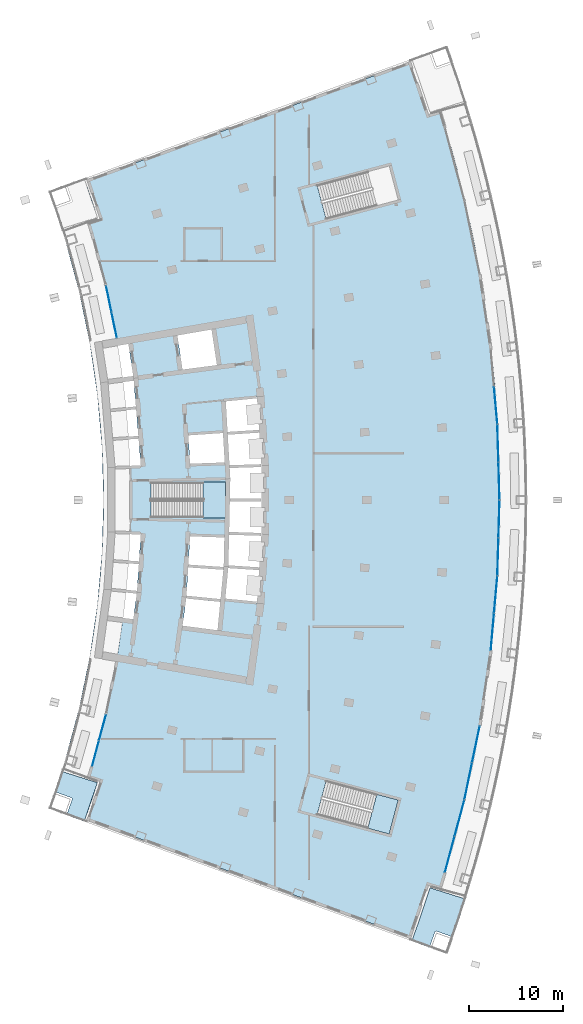
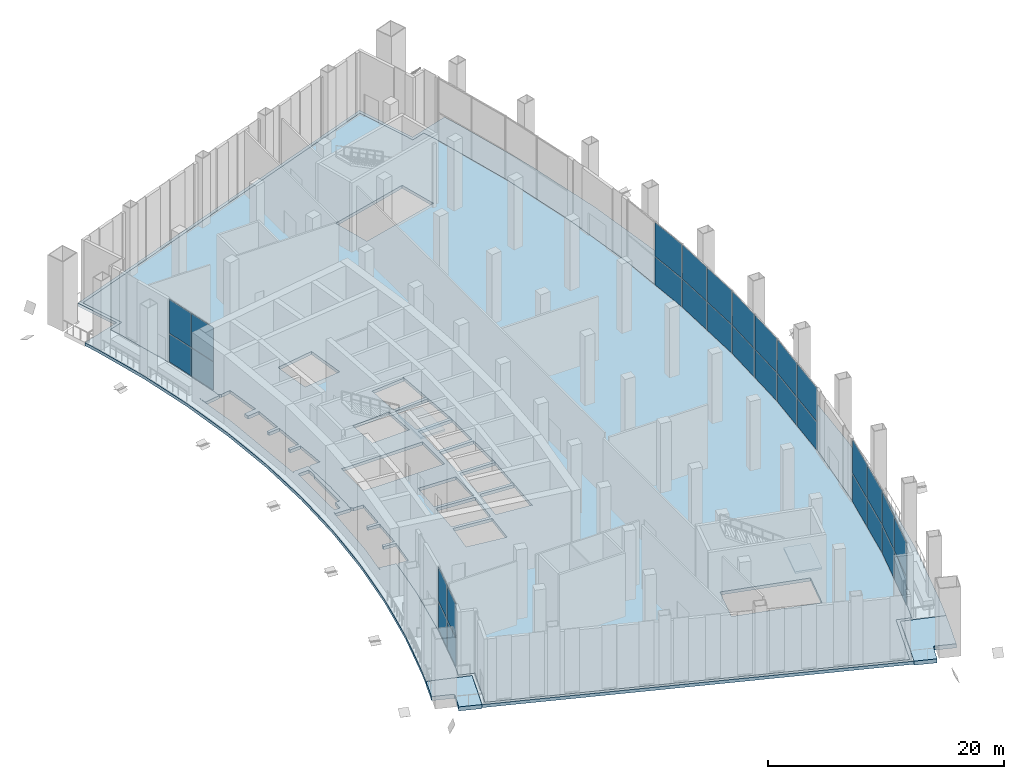
# One storey, part 7 of 18: 30 plates, 6 slabs, 10 elements without a shape of their own.
"""IFC4 building model written with IfcOpenShell, lengths in metres."""

from ifc_helpers import new_model, si_unit, direction, frame, origin, origin_2d, place, context, subcontext, project, spatial, polyline, rectangle, outline, extrude, material, layer, layer_set, type_object, element, aggregate, save


model = new_model("IFC4")

# Units and contexts
model_context = context("Model", 3, precision=1e-05, world=origin(), true_north=direction((0.0, 1.0)))
body_context = subcontext(model_context, "Body", "Model", "MODEL_VIEW")
ifc_project = project(units=[si_unit("LENGTHUNIT", "METRE"), si_unit("AREAUNIT", "SQUARE_METRE"), si_unit("VOLUMEUNIT", "CUBIC_METRE"), si_unit("PLANEANGLEUNIT", "RADIAN"), si_unit("MASSUNIT", "GRAM", prefix="KILO")], contexts=[model_context])

# Site, building, storey
site_placement = place(None, origin())
site = spatial("IfcSite", under=ifc_project, at=site_placement, CompositionType="ELEMENT")
building_placement = place(site_placement, origin())
building = spatial("IfcBuilding", under=site, at=building_placement, Name="Alderwake Tower", CompositionType="ELEMENT")
storey_placement = place(building_placement, frame((0.0, 0.0, 125.60009765625)))
storey = spatial("IfcBuildingStorey", under=building, at=storey_placement, Name="L31", CompositionType="ELEMENT", Elevation=125.60009765625)

# Slabs
ifc_material_1 = material(Name="Concrete C50/60", Category="concrete")
ifc_layer_1 = layer(ifc_material_1, 0.320068359375)
ifc_layer_set_1 = layer_set([ifc_layer_1], Name="Concrete C50/60 post-tensioned flat plate 320")
slab_type_1 = type_object("IfcSlabType", Name="Concrete C50/60 post-tensioned flat plate 320", PredefinedType="FLOOR", material=ifc_layer_set_1)
slab_1_placement = place(storey_placement, frame((0.0, 0.0, -0.320068359375)))
element("IfcSlab", 1, at=slab_1_placement, inside=storey, type_object=slab_type_1, Name="Floor slab L31", PredefinedType="FLOOR", context=body_context, shape_type="SweptSolid", body=[
    extrude(outline(polyline([(18.37158203125, 51.12841796875), (18.397705078125, 51.42724609375), (19.574951171875, 51.31103515625), (19.76611328125, 54.161376953125), (18.644287109375, 54.236572265625), (18.67041015625, 54.535400390625), (19.7861328125, 54.460693359375), (19.977294921875, 57.31103515625), (19.0234375, 57.3447265625), (18.80029296875, 57.582763671875), (18.89990234375, 61.0), (18.80029296875, 64.417236328125), (19.0234375, 64.6552734375), (19.974609375, 64.68896484375), (19.738525390625, 67.5361328125), (18.67041015625, 67.464599609375), (18.644287109375, 67.763427734375), (19.7138671875, 67.835205078125), (19.47802734375, 70.679443359375), (18.397705078125, 70.57275390625), (18.37158203125, 70.87158203125), (19.453125, 70.978515625), (19.2255859375, 73.725830078125), (18.071533203125, 73.574951171875), (17.998779296875, 74.069580078125), (19.16796875, 74.22265625), (18.656982421875, 77.6376953125), (18.90283203125, 77.674560546875), (18.900146484375, 77.690673828125), (17.729248046875, 77.48828125), (17.46923828125, 77.676513671875), (17.389404296875, 78.21923828125), (16.219970703125, 83.867919921875), (14.72314453125, 89.438720703125), (14.36279296875, 90.522705078125), (15.72998046875, 90.954833984375), (14.31591796875, 95.108642578125), (48.69677734375, 107.65869140625), (50.626708984375, 101.9892578125), (51.91748046875, 102.3974609375), (52.458984375, 100.76806640625), (54.55224609375, 92.97802734375), (56.187744140625, 85.0791015625), (57.35986328125, 77.098388671875), (58.064697265625, 69.06298828125), (58.300048828125, 61.0), (58.064697265625, 52.93701171875), (57.35986328125, 44.901611328125), (56.187744140625, 36.9208984375), (54.55224609375, 29.02197265625), (52.458984375, 21.23193359375), (51.91748046875, 19.6025390625), (50.626708984375, 20.0107421875), (48.69677734375, 14.34130859375), (14.31591796875, 26.891357421875), (15.72998046875, 31.045166015625), (14.36279296875, 31.477294921875), (14.72314453125, 32.561279296875), (16.219970703125, 38.132080078125), (17.389404296875, 43.78076171875), (18.0380859375, 48.197509765625), (18.2998046875, 48.395263671875), (19.18017578125, 48.280029296875), (19.545166015625, 51.012451171875), (18.37158203125, 51.12841796875)]), holes=[polyline([(24.82470703125, 50.49072265625), (24.8291015625, 50.534423828125), (24.825439453125, 50.534912109375), (24.43212890625, 47.59326171875), (28.160888671875, 47.10546875), (28.45361328125, 50.132080078125), (24.82470703125, 50.49072265625)]), polyline([(25.031005859375, 53.808349609375), (24.84521484375, 50.735595703125), (24.848876953125, 50.7353515625), (24.854248046875, 50.789306640625), (28.482666015625, 50.430908203125), (28.784912109375, 53.556640625), (25.031005859375, 53.808349609375)]), polyline([(29.0, 62.875), (21.050048828125, 62.875), (21.050048828125, 59.125), (29.0, 59.125), (29.0, 62.875)]), polyline([(28.09619140625, 75.390380859375), (27.523193359375, 79.181396484375), (23.877685546875, 78.551025390625), (24.427001953125, 74.915283203125), (24.368896484375, 74.90673828125), (24.36962890625, 74.90283203125), (28.09619140625, 75.390380859375)]), polyline([(47.436279296875, 28.996826171875), (39.754150390625, 31.043212890625), (38.7890625, 27.41943359375), (46.47119140625, 25.373291015625), (47.436279296875, 28.996826171875)]), polyline([(29.310791015625, 53.763916015625), (29.307373046875, 53.764404296875), (28.990234375, 50.48583984375), (32.347900390625, 50.1572265625), (32.333251953125, 50.008056640625), (32.363037109375, 50.005126953125), (32.6015625, 53.66748046875), (32.840087890625, 57.329833984375), (32.840087890625, 61.0), (32.840087890625, 64.670166015625), (32.6015625, 68.33251953125), (32.363037109375, 71.994873046875), (32.333251953125, 71.991943359375), (32.347900390625, 71.8427734375), (28.886962890625, 71.50390625), (28.88720703125, 71.50048828125), (29.04443359375, 71.509521484375), (29.234619140625, 68.263671875), (32.56201171875, 68.480224609375), (32.57177734375, 68.33056640625), (32.581298828125, 68.180908203125), (29.252197265625, 67.964111328125), (29.442626953125, 64.709716796875), (32.805419921875, 64.819091796875), (32.81005859375, 64.669189453125), (32.81494140625, 64.519287109375), (29.460205078125, 64.41015625), (29.526611328125, 63.277587890625), (29.4794921875, 61.14990234375), (32.81005859375, 61.14990234375), (32.81005859375, 61.0), (32.81005859375, 60.85009765625), (29.472900390625, 60.85009765625), (29.40087890625, 57.591796875), (32.81494140625, 57.480712890625), (32.81005859375, 57.330810546875), (32.805419921875, 57.180908203125), (29.39404296875, 57.2919921875), (29.320556640625, 53.967041015625), (29.32421875, 53.966796875), (29.328369140625, 54.031005859375), (32.581298828125, 53.819091796875), (32.57177734375, 53.66943359375), (32.56201171875, 53.519775390625), (29.308837890625, 53.731689453125), (29.310791015625, 53.763916015625)]), polyline([(28.8193359375, 53.912353515625), (28.887451171875, 56.99560546875), (25.2314453125, 57.125), (25.049072265625, 54.10791015625), (28.809326171875, 53.855712890625), (28.8076171875, 53.83154296875), (28.811279296875, 53.831298828125), (28.8193359375, 53.912353515625)]), polyline([(28.924560546875, 65.005615234375), (28.740966796875, 68.1396484375), (25.05126953125, 67.892333984375), (25.232177734375, 64.875), (28.924560546875, 65.005615234375)]), polyline([(47.436279296875, 93.003173828125), (46.47119140625, 96.626708984375), (38.7890625, 94.58056640625), (39.754150390625, 90.956787109375), (47.436279296875, 93.003173828125)])]), origin(), (0.0, 0.0, 1.0), 0.320068359375),
])
ifc_material_2 = material(Name="Concrete C50/60", Category="concrete")
ifc_layer_2 = layer(ifc_material_2, 0.320068359375)
ifc_layer_set_2 = layer_set([ifc_layer_2], Name="Concrete C50/60 terrace slab 320")
slab_type_2 = type_object("IfcSlabType", Name="Concrete C50/60 terrace slab 320", PredefinedType="FLOOR", material=ifc_layer_set_2)
slab_2_placement = place(storey_placement, frame((0.0, 0.0, -0.320068359375)))
element("IfcSlab", 2, at=slab_2_placement, inside=storey, type_object=slab_type_2, Name="Terrace slab L31", PredefinedType="FLOOR", context=body_context, shape_type="SweptSolid", body=[
    extrude(outline(polyline([(11.945556640625, 33.395263671875), (13.3984375, 38.802734375), (14.53369140625, 44.28564453125), (15.347412109375, 49.825439453125), (15.836669921875, 55.4033203125), (16.0, 61.0), (15.836669921875, 66.5966796875), (15.347412109375, 72.174560546875), (14.53369140625, 77.71435546875), (13.3984375, 83.197265625), (11.945556640625, 88.604736328125), (11.533203125, 89.942626953125), (15.34716796875, 91.1484375), (13.937255859375, 95.289794921875), (48.8818359375, 108.045654296875), (50.816162109375, 102.36376953125), (54.630126953125, 103.569580078125), (55.236572265625, 101.601806640625), (57.37353515625, 93.6484375), (59.04345703125, 85.583984375), (60.239990234375, 77.43603515625), (60.959716796875, 69.23193359375), (61.199951171875, 61.0), (60.959716796875, 52.76806640625), (60.239990234375, 44.56396484375), (59.04345703125, 36.416015625), (57.37353515625, 28.3515625), (55.236572265625, 20.398193359375), (54.630126953125, 18.430419921875), (50.816162109375, 19.63623046875), (48.8818359375, 13.954345703125), (13.937255859375, 26.710205078125), (15.34716796875, 30.8515625), (11.533203125, 32.057373046875), (11.945556640625, 33.395263671875)]), holes=[polyline([(50.626708984375, 20.0107421875), (51.91748046875, 19.6025390625), (52.458984375, 21.23193359375), (54.55224609375, 29.02197265625), (56.187744140625, 36.9208984375), (57.35986328125, 44.901611328125), (58.064697265625, 52.93701171875), (58.300048828125, 61.0), (58.064697265625, 69.06298828125), (57.35986328125, 77.098388671875), (56.187744140625, 85.0791015625), (54.55224609375, 92.97802734375), (52.458984375, 100.76806640625), (51.91748046875, 102.3974609375), (50.626708984375, 101.9892578125), (48.69677734375, 107.65869140625), (14.31591796875, 95.108642578125), (15.72998046875, 90.954833984375), (14.36279296875, 90.522705078125), (14.72314453125, 89.438720703125), (16.219970703125, 83.867919921875), (17.389404296875, 78.21923828125), (17.502685546875, 77.448974609375), (15.96826171875, 77.183837890625), (15.836669921875, 77.94482421875), (15.58544921875, 77.900390625), (15.586181640625, 77.896484375), (15.8154296875, 77.931884765625), (16.478515625, 73.61865234375), (16.47900390625, 73.61376953125), (16.732421875, 70.558837890625), (16.98583984375, 67.501953125), (17.239501953125, 64.4443359375), (17.239501953125, 64.44189453125), (17.269287109375, 64.443115234375), (17.263916015625, 64.593017578125), (18.793701171875, 64.647216796875), (18.89990234375, 61.0), (18.793701171875, 57.352783203125), (17.263916015625, 57.406982421875), (17.269287109375, 57.556884765625), (17.2392578125, 57.55810546875), (17.033935546875, 54.494873046875), (16.82861328125, 51.431640625), (16.82861328125, 51.431640625), (16.41015625, 48.39013671875), (16.43994140625, 48.38623046875), (16.472412109375, 48.63427734375), (18.071533203125, 48.425048828125), (17.389404296875, 43.78076171875), (16.219970703125, 38.132080078125), (14.72314453125, 32.561279296875), (14.36279296875, 31.477294921875), (15.72998046875, 31.045166015625), (14.31591796875, 26.891357421875), (48.69677734375, 14.34130859375), (50.626708984375, 20.0107421875)]), polyline([(17.489501953125, 64.050537109375), (17.4892578125, 57.949462890625), (18.065673828125, 57.928955078125), (18.090576171875, 58.84326171875), (18.544189453125, 58.8310546875), (18.529296875, 58.8681640625), (18.5234375, 58.89208984375), (18.5185546875, 58.94091796875), (18.5185546875, 63.060302734375), (18.5234375, 63.109130859375), (18.53759765625, 63.156005859375), (18.560791015625, 63.19921875), (18.588623046875, 63.233642578125), (18.565185546875, 64.088623046875), (17.489501953125, 64.050537109375)])]), origin(), (0.0, 0.0, 1.0), 0.320068359375),
])

# Stair, slab
ifc_material_3 = material(Name="Concrete C40/50", Category="concrete")
stair_type = type_object("IfcStairType", Name="Core exit stair", PredefinedType="HALF_TURN_STAIR", material=ifc_material_3)
stair_1_placement = place(storey_placement, origin())
stair_1 = element("IfcStair", 3, at=stair_1_placement, inside=storey, type_object=stair_type, Name="L31 Exit Stair B", PredefinedType="HALF_TURN_STAIR")
ifc_material_4 = material(Name="Concrete C40/50", Category="concrete")
ifc_layer_3 = layer(ifc_material_4, 0.199951171875)
ifc_layer_set_3 = layer_set([ifc_layer_3], Name="Core stair landing 200")
slab_type_3 = type_object("IfcSlabType", Name="Core stair landing 200", PredefinedType="LANDING", material=ifc_layer_set_3)
slab_3_placement = place(storey_placement, frame((0.0, 0.0, 3.39990234375)))
slab_3 = element("IfcSlab", 4, at=slab_3_placement, type_object=slab_type_3, Name="ST-B landing 1", PredefinedType="LANDING", context=body_context, shape_type="SweptSolid", body=[
    extrude(outline(polyline([(26.6298828125, 59.074951171875), (29.0, 59.074951171875), (29.0, 62.925048828125), (26.6298828125, 62.925048828125), (26.6298828125, 59.074951171875)])), origin(), (0.0, 0.0, 1.0), 0.199951171875),
])
aggregate(stair_1, [slab_3])

stair_2_placement = place(storey_placement, origin())
stair_2 = element("IfcStair", 5, at=stair_2_placement, inside=storey, type_object=stair_type, Name="L31 Exit Stair C", PredefinedType="HALF_TURN_STAIR")
slab_4_placement = place(storey_placement, frame((0.0, 0.0, 3.39990234375)))
slab_4 = element("IfcSlab", 6, at=slab_4_placement, type_object=slab_type_3, Name="ST-C landing 1", PredefinedType="LANDING", context=body_context, shape_type="SweptSolid", body=[
    extrude(outline(polyline([(44.180908203125, 25.983154296875), (46.47119140625, 25.373291015625), (47.436279296875, 28.996826171875), (45.146240234375, 29.60693359375), (44.180908203125, 25.983154296875)])), origin(), (0.0, 0.0, 1.0), 0.199951171875),
])
aggregate(stair_2, [slab_4])

# Curtain wall, plates
ifc_material_5 = material(Name="Bronze tinted glass in aluminium frame", Category="aluminium")
ifc_layer_4 = layer(ifc_material_5, 0.199951171875)
ifc_layer_set_4 = layer_set([ifc_layer_4], Name="Curtain wall CW3 sky garden glazing")
curtain_wall_type = type_object("IfcCurtainWallType", Name="Curtain wall CW3 sky garden glazing", PredefinedType="NOTDEFINED", material=ifc_layer_set_4)
curtain_wall_1_placement = place(storey_placement, origin())
curtain_wall_1 = element("IfcCurtainWall", 7, at=curtain_wall_1_placement, inside=storey, type_object=curtain_wall_type, Name="Curtain wall 1", PredefinedType="NOTDEFINED")
ifc_material_6 = material(Name="Bronze tinted glass in aluminium frame", Category="aluminium")
ifc_layer_5 = layer(ifc_material_6, 0.028076171875)
ifc_layer_set_5 = layer_set([ifc_layer_5], Name="Glass panel GPC 28")
plate_type = type_object("IfcPlateType", Name="Glass panel GPC 28", PredefinedType="CURTAIN_PANEL", material=ifc_layer_set_5)
plate_1_placement = place(storey_placement, frame((16.563720703125, 82.45361328125, 0.06005859375), z_axis=(0.0, 0.0, 1.0), x_axis=(0.202750888158, -0.979230349484, 0.0)))
plate_1 = element("IfcPlate", 8, at=plate_1_placement, type_object=plate_type, Name="CW.01 panel 1.1", PredefinedType="CURTAIN_PANEL", context=body_context, shape_type="SweptSolid", body=[
    extrude(rectangle(XDim=2.7890625, YDim=0.028076171875, at=origin_2d()), origin(), (0.0, 0.0, 1.0), 2.909912109375),
])
plate_2_placement = place(storey_placement, frame((16.563720703125, 82.45361328125, 3.02978515625), z_axis=(0.0, 0.0, 1.0), x_axis=(0.202750888158, -0.979230349484, 0.0)))
plate_2 = element("IfcPlate", 9, at=plate_2_placement, type_object=plate_type, Name="CW.01 panel 1.2", PredefinedType="CURTAIN_PANEL", context=body_context, shape_type="SweptSolid", body=[
    extrude(rectangle(XDim=2.7890625, YDim=0.028076171875, at=origin_2d()), origin(), (0.0, 0.0, 1.0), 3.510009765625),
])
plate_3_placement = place(storey_placement, frame((17.1416015625, 79.66357421875, 0.06005859375), z_axis=(0.0, 0.0, 1.0), x_axis=(0.202750888158, -0.979230349484, 0.0)))
plate_3 = element("IfcPlate", 10, at=plate_3_placement, type_object=plate_type, Name="CW.01 panel 2.1", PredefinedType="CURTAIN_PANEL", context=body_context, shape_type="SweptSolid", body=[
    extrude(rectangle(XDim=2.7890625, YDim=0.028076171875, at=origin_2d()), origin(), (0.0, 0.0, 1.0), 2.909912109375),
])
plate_4_placement = place(storey_placement, frame((17.1416015625, 79.66357421875, 3.02978515625), z_axis=(0.0, 0.0, 1.0), x_axis=(0.202750888158, -0.979230349484, 0.0)))
plate_4 = element("IfcPlate", 11, at=plate_4_placement, type_object=plate_type, Name="CW.01 panel 2.2", PredefinedType="CURTAIN_PANEL", context=body_context, shape_type="SweptSolid", body=[
    extrude(rectangle(XDim=2.7890625, YDim=0.028076171875, at=origin_2d()), origin(), (0.0, 0.0, 1.0), 3.510009765625),
])
aggregate(curtain_wall_1, [plate_1, plate_2, plate_3, plate_4])

curtain_wall_2_placement = place(storey_placement, origin())
curtain_wall_2 = element("IfcCurtainWall", 12, at=curtain_wall_2_placement, inside=storey, type_object=curtain_wall_type, Name="Curtain wall 2", PredefinedType="NOTDEFINED")
plate_5_placement = place(storey_placement, frame((15.89013671875, 36.7119140625, 0.06005859375), z_axis=(0.0, 0.0, 1.0), x_axis=(-0.259483539814, -0.965747530447, 0.0)))
plate_5 = element("IfcPlate", 13, at=plate_5_placement, type_object=plate_type, Name="CW.02 panel 1.1", PredefinedType="CURTAIN_PANEL", context=body_context, shape_type="SweptSolid", body=[
    extrude(rectangle(XDim=2.794189453125, YDim=0.028076171875, at=origin_2d()), origin(), (0.0, 0.0, 1.0), 2.909912109375),
])
plate_6_placement = place(storey_placement, frame((15.89013671875, 36.7119140625, 3.02978515625), z_axis=(0.0, 0.0, 1.0), x_axis=(-0.259483539814, -0.965747530447, 0.0)))
plate_6 = element("IfcPlate", 14, at=plate_6_placement, type_object=plate_type, Name="CW.02 panel 1.2", PredefinedType="CURTAIN_PANEL", context=body_context, shape_type="SweptSolid", body=[
    extrude(rectangle(XDim=2.794189453125, YDim=0.028076171875, at=origin_2d()), origin(), (0.0, 0.0, 1.0), 3.510009765625),
])
plate_7_placement = place(storey_placement, frame((15.1494140625, 33.95556640625, 0.06005859375), z_axis=(0.0, 0.0, 1.0), x_axis=(-0.259483539814, -0.965747530447, 0.0)))
plate_7 = element("IfcPlate", 15, at=plate_7_placement, type_object=plate_type, Name="CW.02 panel 2.1", PredefinedType="CURTAIN_PANEL", context=body_context, shape_type="SweptSolid", body=[
    extrude(rectangle(XDim=2.794189453125, YDim=0.028076171875, at=origin_2d()), origin(), (0.0, 0.0, 1.0), 2.909912109375),
])
plate_8_placement = place(storey_placement, frame((15.1494140625, 33.95556640625, 3.02978515625), z_axis=(0.0, 0.0, 1.0), x_axis=(-0.259483539814, -0.965747530447, 0.0)))
plate_8 = element("IfcPlate", 16, at=plate_8_placement, type_object=plate_type, Name="CW.02 panel 2.2", PredefinedType="CURTAIN_PANEL", context=body_context, shape_type="SweptSolid", body=[
    extrude(rectangle(XDim=2.794189453125, YDim=0.028076171875, at=origin_2d()), origin(), (0.0, 0.0, 1.0), 3.510009765625),
])
aggregate(curtain_wall_2, [plate_5, plate_6, plate_7, plate_8])

curtain_wall_3_placement = place(storey_placement, origin())
curtain_wall_3 = element("IfcCurtainWall", 17, at=curtain_wall_3_placement, inside=storey, type_object=curtain_wall_type, Name="Curtain wall 3", PredefinedType="NOTDEFINED")
plate_9_placement = place(storey_placement, frame((52.93798828125, 23.20703125, 0.06005859375), z_axis=(0.0, 0.0, 1.0), x_axis=(0.25949861992, 0.965743478497, 0.0)))
plate_9 = element("IfcPlate", 18, at=plate_9_placement, type_object=plate_type, Name="CW.03 panel 1.1", PredefinedType="CURTAIN_PANEL", context=body_context, shape_type="SweptSolid", body=[
    extrude(rectangle(XDim=3.943115234375, YDim=0.028076171875, at=origin_2d()), origin(), (0.0, 0.0, 1.0), 2.909912109375),
])
plate_10_placement = place(storey_placement, frame((52.93798828125, 23.20703125, 3.02978515625), z_axis=(0.0, 0.0, 1.0), x_axis=(0.25949861992, 0.965743478497, 0.0)))
plate_10 = element("IfcPlate", 19, at=plate_10_placement, type_object=plate_type, Name="CW.03 panel 1.2", PredefinedType="CURTAIN_PANEL", context=body_context, shape_type="SweptSolid", body=[
    extrude(rectangle(XDim=3.943115234375, YDim=0.028076171875, at=origin_2d()), origin(), (0.0, 0.0, 1.0), 3.510009765625),
])
plate_11_placement = place(storey_placement, frame((53.976806640625, 27.072998046875, 0.06005859375), z_axis=(0.0, 0.0, 1.0), x_axis=(0.25949861992, 0.965743478497, 0.0)))
plate_11 = element("IfcPlate", 20, at=plate_11_placement, type_object=plate_type, Name="CW.03 panel 2.1", PredefinedType="CURTAIN_PANEL", context=body_context, shape_type="SweptSolid", body=[
    extrude(rectangle(XDim=3.943115234375, YDim=0.028076171875, at=origin_2d()), origin(), (0.0, 0.0, 1.0), 2.909912109375),
])
plate_12_placement = place(storey_placement, frame((53.976806640625, 27.072998046875, 3.02978515625), z_axis=(0.0, 0.0, 1.0), x_axis=(0.25949861992, 0.965743478497, 0.0)))
plate_12 = element("IfcPlate", 21, at=plate_12_placement, type_object=plate_type, Name="CW.03 panel 2.2", PredefinedType="CURTAIN_PANEL", context=body_context, shape_type="SweptSolid", body=[
    extrude(rectangle(XDim=3.943115234375, YDim=0.028076171875, at=origin_2d()), origin(), (0.0, 0.0, 1.0), 3.510009765625),
])
aggregate(curtain_wall_3, [plate_9, plate_10, plate_11, plate_12])

curtain_wall_4_placement = place(storey_placement, origin())
curtain_wall_4 = element("IfcCurtainWall", 22, at=curtain_wall_4_placement, inside=storey, type_object=curtain_wall_type, Name="Curtain wall 4", PredefinedType="NOTDEFINED")
plate_13_placement = place(storey_placement, frame((54.9150390625, 31.021484375, 0.06005859375), z_axis=(0.0, 0.0, 1.0), x_axis=(0.202756050105, 0.979229280682, 0.0)))
plate_13 = element("IfcPlate", 23, at=plate_13_placement, type_object=plate_type, Name="CW.04 panel 1.1", PredefinedType="CURTAIN_PANEL", context=body_context, shape_type="SweptSolid", body=[
    extrude(rectangle(XDim=3.943115234375, YDim=0.028076171875, at=origin_2d()), origin(), (0.0, 0.0, 1.0), 2.909912109375),
])
plate_14_placement = place(storey_placement, frame((54.9150390625, 31.021484375, 3.02978515625), z_axis=(0.0, 0.0, 1.0), x_axis=(0.202756050105, 0.979229280682, 0.0)))
plate_14 = element("IfcPlate", 24, at=plate_14_placement, type_object=plate_type, Name="CW.04 panel 1.2", PredefinedType="CURTAIN_PANEL", context=body_context, shape_type="SweptSolid", body=[
    extrude(rectangle(XDim=3.943115234375, YDim=0.028076171875, at=origin_2d()), origin(), (0.0, 0.0, 1.0), 3.510009765625),
])
plate_15_placement = place(storey_placement, frame((55.726806640625, 34.94140625, 0.06005859375), z_axis=(0.0, 0.0, 1.0), x_axis=(0.202756050105, 0.979229280682, 0.0)))
plate_15 = element("IfcPlate", 25, at=plate_15_placement, type_object=plate_type, Name="CW.04 panel 2.1", PredefinedType="CURTAIN_PANEL", context=body_context, shape_type="SweptSolid", body=[
    extrude(rectangle(XDim=3.943115234375, YDim=0.028076171875, at=origin_2d()), origin(), (0.0, 0.0, 1.0), 2.909912109375),
])
plate_16_placement = place(storey_placement, frame((55.726806640625, 34.94140625, 3.02978515625), z_axis=(0.0, 0.0, 1.0), x_axis=(0.202756050105, 0.979229280682, 0.0)))
plate_16 = element("IfcPlate", 26, at=plate_16_placement, type_object=plate_type, Name="CW.04 panel 2.2", PredefinedType="CURTAIN_PANEL", context=body_context, shape_type="SweptSolid", body=[
    extrude(rectangle(XDim=3.943115234375, YDim=0.028076171875, at=origin_2d()), origin(), (0.0, 0.0, 1.0), 3.510009765625),
])
aggregate(curtain_wall_4, [plate_13, plate_14, plate_15, plate_16])

curtain_wall_5_placement = place(storey_placement, origin())
curtain_wall_5 = element("IfcCurtainWall", 27, at=curtain_wall_5_placement, inside=storey, type_object=curtain_wall_type, Name="Curtain wall 5", PredefinedType="NOTDEFINED")
plate_17_placement = place(storey_placement, frame((57.487548828125, 46.929931640625, 0.06005859375), z_axis=(0.0, 0.0, 1.0), x_axis=(0.087387632716, 0.996174383152, 0.0)))
plate_17 = element("IfcPlate", 28, at=plate_17_placement, type_object=plate_type, Name="CW.05 panel 1.1", PredefinedType="CURTAIN_PANEL", context=body_context, shape_type="SweptSolid", body=[
    extrude(rectangle(XDim=3.943115234375, YDim=0.028076171875, at=origin_2d()), origin(), (0.0, 0.0, 1.0), 2.909912109375),
])
plate_18_placement = place(storey_placement, frame((57.487548828125, 46.929931640625, 3.02978515625), z_axis=(0.0, 0.0, 1.0), x_axis=(0.087387632716, 0.996174383152, 0.0)))
plate_18 = element("IfcPlate", 29, at=plate_18_placement, type_object=plate_type, Name="CW.05 panel 1.2", PredefinedType="CURTAIN_PANEL", context=body_context, shape_type="SweptSolid", body=[
    extrude(rectangle(XDim=3.943115234375, YDim=0.028076171875, at=origin_2d()), origin(), (0.0, 0.0, 1.0), 3.510009765625),
])
plate_19_placement = place(storey_placement, frame((57.83740234375, 50.917724609375, 0.06005859375), z_axis=(0.0, 0.0, 1.0), x_axis=(0.087387632716, 0.996174383152, 0.0)))
plate_19 = element("IfcPlate", 30, at=plate_19_placement, type_object=plate_type, Name="CW.05 panel 2.1", PredefinedType="CURTAIN_PANEL", context=body_context, shape_type="SweptSolid", body=[
    extrude(rectangle(XDim=3.943115234375, YDim=0.028076171875, at=origin_2d()), origin(), (0.0, 0.0, 1.0), 2.909912109375),
])
plate_20_placement = place(storey_placement, frame((57.83740234375, 50.917724609375, 3.02978515625), z_axis=(0.0, 0.0, 1.0), x_axis=(0.087387632716, 0.996174383152, 0.0)))
plate_20 = element("IfcPlate", 31, at=plate_20_placement, type_object=plate_type, Name="CW.05 panel 2.2", PredefinedType="CURTAIN_PANEL", context=body_context, shape_type="SweptSolid", body=[
    extrude(rectangle(XDim=3.943115234375, YDim=0.028076171875, at=origin_2d()), origin(), (0.0, 0.0, 1.0), 3.510009765625),
])
aggregate(curtain_wall_5, [plate_17, plate_18, plate_19, plate_20])

curtain_wall_6_placement = place(storey_placement, origin())
curtain_wall_6 = element("IfcCurtainWall", 32, at=curtain_wall_6_placement, inside=storey, type_object=curtain_wall_type, Name="Curtain wall 6", PredefinedType="NOTDEFINED")
plate_21_placement = place(storey_placement, frame((58.073974609375, 54.96923828125, 0.06005859375), z_axis=(0.0, 0.0, 1.0), x_axis=(0.029158242674, 0.999574808048, 0.0)))
plate_21 = element("IfcPlate", 33, at=plate_21_placement, type_object=plate_type, Name="CW.06 panel 1.1", PredefinedType="CURTAIN_PANEL", context=body_context, shape_type="SweptSolid", body=[
    extrude(rectangle(XDim=3.943115234375, YDim=0.028076171875, at=origin_2d()), origin(), (0.0, 0.0, 1.0), 2.909912109375),
])
plate_22_placement = place(storey_placement, frame((58.073974609375, 54.96923828125, 3.02978515625), z_axis=(0.0, 0.0, 1.0), x_axis=(0.029158242674, 0.999574808048, 0.0)))
plate_22 = element("IfcPlate", 34, at=plate_22_placement, type_object=plate_type, Name="CW.06 panel 1.2", PredefinedType="CURTAIN_PANEL", context=body_context, shape_type="SweptSolid", body=[
    extrude(rectangle(XDim=3.943115234375, YDim=0.028076171875, at=origin_2d()), origin(), (0.0, 0.0, 1.0), 3.510009765625),
])
plate_23_placement = place(storey_placement, frame((58.190673828125, 58.970703125, 0.06005859375), z_axis=(0.0, 0.0, 1.0), x_axis=(0.029158242674, 0.999574808048, 0.0)))
plate_23 = element("IfcPlate", 35, at=plate_23_placement, type_object=plate_type, Name="CW.06 panel 2.1", PredefinedType="CURTAIN_PANEL", context=body_context, shape_type="SweptSolid", body=[
    extrude(rectangle(XDim=3.943115234375, YDim=0.028076171875, at=origin_2d()), origin(), (0.0, 0.0, 1.0), 2.909912109375),
])
plate_24_placement = place(storey_placement, frame((58.190673828125, 58.970703125, 3.02978515625), z_axis=(0.0, 0.0, 1.0), x_axis=(0.029158242674, 0.999574808048, 0.0)))
plate_24 = element("IfcPlate", 36, at=plate_24_placement, type_object=plate_type, Name="CW.06 panel 2.2", PredefinedType="CURTAIN_PANEL", context=body_context, shape_type="SweptSolid", body=[
    extrude(rectangle(XDim=3.943115234375, YDim=0.028076171875, at=origin_2d()), origin(), (0.0, 0.0, 1.0), 3.510009765625),
])
aggregate(curtain_wall_6, [plate_21, plate_22, plate_23, plate_24])

curtain_wall_7_placement = place(storey_placement, origin())
curtain_wall_7 = element("IfcCurtainWall", 37, at=curtain_wall_7_placement, inside=storey, type_object=curtain_wall_type, Name="Curtain wall 7", PredefinedType="NOTDEFINED")
plate_25_placement = place(storey_placement, frame((58.190673828125, 63.029296875, 0.06005859375), z_axis=(0.0, 0.0, 1.0), x_axis=(-0.029158242674, 0.999574808048, 0.0)))
plate_25 = element("IfcPlate", 38, at=plate_25_placement, type_object=plate_type, Name="CW.07 panel 1.1", PredefinedType="CURTAIN_PANEL", context=body_context, shape_type="SweptSolid", body=[
    extrude(rectangle(XDim=3.943115234375, YDim=0.028076171875, at=origin_2d()), origin(), (0.0, 0.0, 1.0), 2.909912109375),
])
plate_26_placement = place(storey_placement, frame((58.190673828125, 63.029296875, 3.02978515625), z_axis=(0.0, 0.0, 1.0), x_axis=(-0.029158242674, 0.999574808048, 0.0)))
plate_26 = element("IfcPlate", 39, at=plate_26_placement, type_object=plate_type, Name="CW.07 panel 1.2", PredefinedType="CURTAIN_PANEL", context=body_context, shape_type="SweptSolid", body=[
    extrude(rectangle(XDim=3.943115234375, YDim=0.028076171875, at=origin_2d()), origin(), (0.0, 0.0, 1.0), 3.510009765625),
])
plate_27_placement = place(storey_placement, frame((58.073974609375, 67.03076171875, 0.06005859375), z_axis=(0.0, 0.0, 1.0), x_axis=(-0.029158242674, 0.999574808048, 0.0)))
plate_27 = element("IfcPlate", 40, at=plate_27_placement, type_object=plate_type, Name="CW.07 panel 2.1", PredefinedType="CURTAIN_PANEL", context=body_context, shape_type="SweptSolid", body=[
    extrude(rectangle(XDim=3.943115234375, YDim=0.028076171875, at=origin_2d()), origin(), (0.0, 0.0, 1.0), 2.909912109375),
])
plate_28_placement = place(storey_placement, frame((58.073974609375, 67.03076171875, 3.02978515625), z_axis=(0.0, 0.0, 1.0), x_axis=(-0.029158242674, 0.999574808048, 0.0)))
plate_28 = element("IfcPlate", 41, at=plate_28_placement, type_object=plate_type, Name="CW.07 panel 2.2", PredefinedType="CURTAIN_PANEL", context=body_context, shape_type="SweptSolid", body=[
    extrude(rectangle(XDim=3.943115234375, YDim=0.028076171875, at=origin_2d()), origin(), (0.0, 0.0, 1.0), 3.510009765625),
])
aggregate(curtain_wall_7, [plate_25, plate_26, plate_27, plate_28])

curtain_wall_8_placement = place(storey_placement, origin())
curtain_wall_8 = element("IfcCurtainWall", 42, at=curtain_wall_8_placement, inside=storey, type_object=curtain_wall_type, Name="Curtain wall 8", PredefinedType="NOTDEFINED")
plate_29_placement = place(storey_placement, frame((57.83740234375, 71.082275390625, 0.06005859375), z_axis=(0.0, 0.0, 1.0), x_axis=(-0.087387632716, 0.996174383152, 0.0)))
plate_29 = element("IfcPlate", 43, at=plate_29_placement, type_object=plate_type, Name="CW.08 panel 1.1", PredefinedType="CURTAIN_PANEL", context=body_context, shape_type="SweptSolid", body=[
    extrude(rectangle(XDim=3.943115234375, YDim=0.028076171875, at=origin_2d()), origin(), (0.0, 0.0, 1.0), 2.909912109375),
])
plate_30_placement = place(storey_placement, frame((57.83740234375, 71.082275390625, 3.02978515625), z_axis=(0.0, 0.0, 1.0), x_axis=(-0.087387632716, 0.996174383152, 0.0)))
plate_30 = element("IfcPlate", 44, at=plate_30_placement, type_object=plate_type, Name="CW.08 panel 1.2", PredefinedType="CURTAIN_PANEL", context=body_context, shape_type="SweptSolid", body=[
    extrude(rectangle(XDim=3.943115234375, YDim=0.028076171875, at=origin_2d()), origin(), (0.0, 0.0, 1.0), 3.510009765625),
])
aggregate(curtain_wall_8, [plate_29, plate_30])

# Slabs
ifc_material_7 = material(Name="Concrete C50/60", Category="concrete")
ifc_layer_6 = layer(ifc_material_7, 0.419921875)
ifc_layer_set_6 = layer_set([ifc_layer_6], Name="Terrace slab 420")
slab_type_4 = type_object("IfcSlabType", Name="Terrace slab 420", PredefinedType="FLOOR", material=ifc_layer_set_6)
slab_5_placement = place(storey_placement, frame((0.0, 0.0, -0.420166015625)))
element("IfcSlab", 45, at=slab_5_placement, inside=storey, type_object=slab_type_4, Name="Corner terrace FS", PredefinedType="FLOOR", context=body_context, shape_type="SweptSolid", body=[
    extrude(outline(polyline([(53.331298828125, 14.522216796875), (53.279296875, 14.3759765625), (51.54150390625, 14.99755859375), (51.527587890625, 15.001953125), (51.51318359375, 15.004638671875), (51.498291015625, 15.006103515625), (51.483642578125, 15.006103515625), (51.468994140625, 15.004638671875), (51.45458984375, 15.001953125), (51.4404296875, 14.99755859375), (51.427001953125, 14.991943359375), (51.4140625, 14.985107421875), (51.401611328125, 14.976806640625), (51.390380859375, 14.967529296875), (51.3798828125, 14.95703125), (51.37060546875, 14.94580078125), (51.3623046875, 14.93359375), (51.35546875, 14.92041015625), (51.349853515625, 14.906982421875), (50.777099609375, 13.306396484375), (50.77294921875, 13.292236328125), (50.77001953125, 13.277587890625), (50.768798828125, 13.265625), (48.8818359375, 13.954345703125), (49.55419921875, 15.8388671875), (50.19921875, 17.73291015625), (50.816162109375, 19.63623046875), (54.630126953125, 18.430419921875), (53.9951171875, 16.471435546875), (53.331298828125, 14.522216796875)])), origin(), (0.0, 0.0, 1.0), 0.420166015625),
])
slab_6_placement = place(storey_placement, frame((0.0, 0.0, -0.420166015625)))
element("IfcSlab", 46, at=slab_6_placement, inside=storey, type_object=slab_type_4, Name="Corner terrace RS", PredefinedType="FLOOR", context=body_context, shape_type="SweptSolid", body=[
    extrude(outline(polyline([(13.937255859375, 26.710205078125), (12.04931640625, 27.3994140625), (12.0537109375, 27.40380859375), (12.06298828125, 27.4150390625), (12.071044921875, 27.427490234375), (12.077880859375, 27.4404296875), (12.08349609375, 27.4541015625), (12.651611328125, 29.056396484375), (12.65576171875, 29.0703125), (12.65869140625, 29.084716796875), (12.66015625, 29.099609375), (12.659912109375, 29.1142578125), (12.658447265625, 29.12890625), (12.655517578125, 29.143310546875), (12.6513671875, 29.157470703125), (12.6455078125, 29.1708984375), (12.638671875, 29.183837890625), (12.63037109375, 29.196044921875), (12.62109375, 29.20751953125), (12.610595703125, 29.218017578125), (12.59912109375, 29.227294921875), (12.5869140625, 29.2353515625), (12.573974609375, 29.2421875), (12.560302734375, 29.247802734375), (10.8095703125, 29.868408203125), (11.101318359375, 30.7255859375), (11.533203125, 32.057373046875), (15.34716796875, 30.8515625), (13.937255859375, 26.710205078125)])), origin(), (0.0, 0.0, 1.0), 0.420166015625),
])

save(model, "model.ifc")
